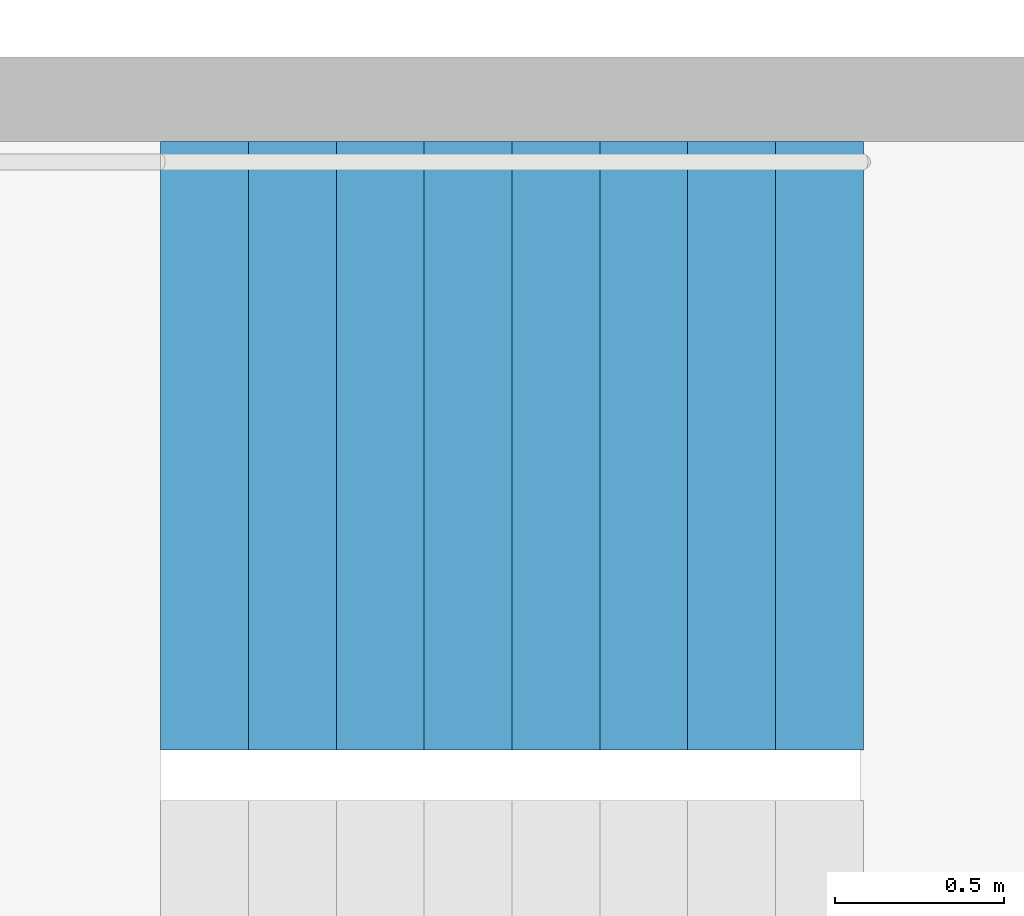
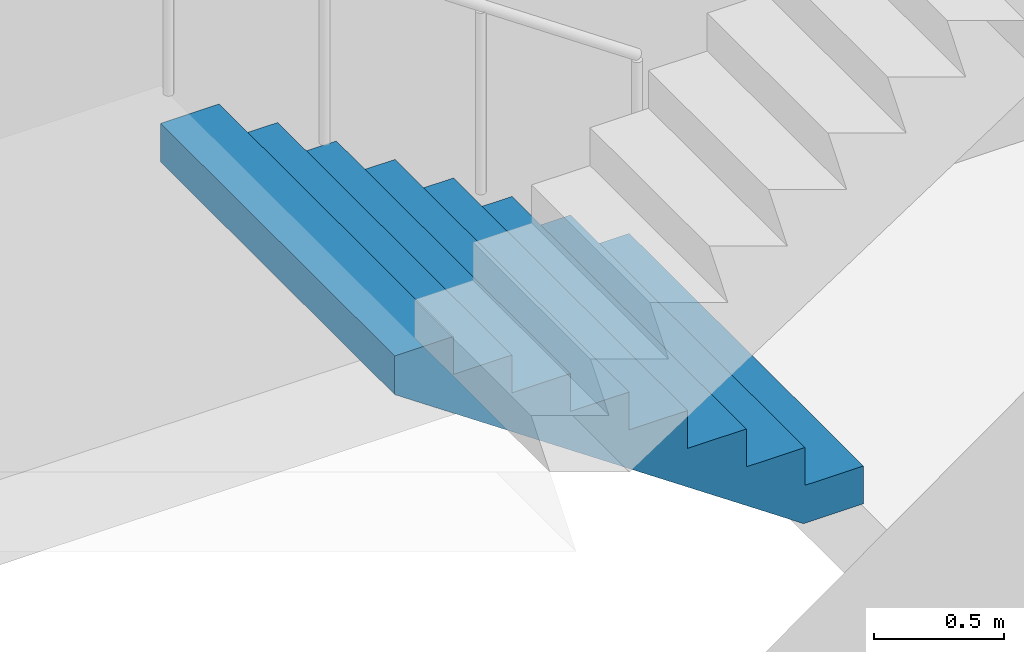
# One storey, part 22 of 29: 1 stair flight, 1 element without a shape of its own.
"""IFC4 building model written with IfcOpenShell, lengths in metres."""

from ifc_helpers import new_model, si_unit, direction, frame, origin, place, context, subcontext, project, spatial, triangles, material, type_object, element, aggregate, save


model = new_model("IFC4")

# Units and contexts
model_context = context("Model", 3, precision=1e-05, world=origin(), true_north=direction((0.0, 1.0)))
body_context = subcontext(model_context, "Body", "Model", "MODEL_VIEW")
ifc_project = project(units=[si_unit("LENGTHUNIT", "METRE"), si_unit("AREAUNIT", "SQUARE_METRE"), si_unit("VOLUMEUNIT", "CUBIC_METRE"), si_unit("PLANEANGLEUNIT", "RADIAN"), si_unit("MASSUNIT", "GRAM", prefix="KILO")], contexts=[model_context])

# Site, building, storey
site_placement = place(None, origin())
site = spatial("IfcSite", under=ifc_project, at=site_placement, CompositionType="ELEMENT")
building_placement = place(site_placement, origin())
building = spatial("IfcBuilding", under=site, at=building_placement, Name="Hakoniwa Tower and Hamabe Station Hall", CompositionType="ELEMENT")
storey_placement = place(building_placement, frame((0.0, 0.0, 88.199951171875)))
storey = spatial("IfcBuildingStorey", under=building, at=storey_placement, Name="L24", CompositionType="ELEMENT", Elevation=88.199951171875)

# Stair, stair flight
ifc_material_1 = material(Name="Concrete C40", Category="concrete")
stair_type = type_object("IfcStairType", Name="ESCAPE STAIR 1800", PredefinedType="HALF_TURN_STAIR", material=ifc_material_1)
stair_placement = place(storey_placement, origin())
stair = element("IfcStair", 1, at=stair_placement, inside=storey, type_object=stair_type, Name="Escape stair ST-2 L24", PredefinedType="HALF_TURN_STAIR")
ifc_material_2 = material(Name="Concrete C40", Category="concrete")
stair_flight_type = type_object("IfcStairFlightType", Name="STAIR FLIGHT 1800", PredefinedType="STRAIGHT", material=ifc_material_2)
stair_flight_placement = place(storey_placement, frame((-23.39990234375, -4.64990234375, 0.0), z_axis=(0.0, 0.0, 1.0), x_axis=(-1.0, 0.0, 0.0)))
stair_flight = element("IfcStairFlight", 2, at=stair_flight_placement, type_object=stair_flight_type, Name="ST-2 flight 1", NumberOfRisers=9, NumberOfTreads=8, PredefinedType="STRAIGHT", RiserHeight=0.177777778, TreadLength=0.26, context=body_context, shape_type="Tessellation", body=[
    triangles([(0.0, 0.89990234375, 0.0), (0.260009765625, 0.89990234375, 0.0), (0.265625, 0.89990234375, 0.0), (0.52001953125, 0.89990234375, 0.174072265625), (0.780029296875, 0.89990234375, 0.351806640625), (1.0400390625, 0.89990234375, 0.529541015625), (1.300048828125, 0.89990234375, 0.707275390625), (1.56005859375, 0.89990234375, 0.885009765625), (1.820068359375, 0.89990234375, 1.062744140625), (2.080078125, 0.89990234375, 1.24072265625), (2.080078125, 0.89990234375, 1.422119140625), (1.820068359375, 0.89990234375, 1.422119140625), (1.820068359375, 0.89990234375, 1.244384765625), (1.56005859375, 0.89990234375, 1.244384765625), (1.56005859375, 0.89990234375, 1.066650390625), (1.300048828125, 0.89990234375, 1.066650390625), (1.300048828125, 0.89990234375, 0.888916015625), (1.0400390625, 0.89990234375, 0.888916015625), (1.0400390625, 0.89990234375, 0.711181640625), (0.780029296875, 0.89990234375, 0.711181640625), (0.780029296875, 0.89990234375, 0.533447265625), (0.52001953125, 0.89990234375, 0.533447265625), (0.52001953125, 0.89990234375, 0.35546875), (0.265625, 0.89990234375, 0.35546875), (0.260009765625, 0.89990234375, 0.35546875), (0.260009765625, 0.89990234375, 0.177734375), (0.0, 0.89990234375, 0.177734375), (0.0, 0.06005859375, 0.0), (0.260009765625, 0.06005859375, 0.0), (0.265625, 0.06005859375, 0.0), (0.52001953125, 0.06005859375, 0.174072265625), (0.780029296875, 0.06005859375, 0.351806640625), (1.0400390625, 0.06005859375, 0.529541015625), (1.300048828125, 0.06005859375, 0.707275390625), (1.56005859375, 0.06005859375, 0.885009765625), (1.820068359375, 0.06005859375, 1.062744140625), (2.080078125, 0.06005859375, 1.24072265625), (2.080078125, 0.06005859375, 1.422119140625), (1.820068359375, 0.06005859375, 1.422119140625), (1.820068359375, 0.06005859375, 1.244384765625), (1.56005859375, 0.06005859375, 1.244384765625), (1.56005859375, 0.06005859375, 1.066650390625), (1.300048828125, 0.06005859375, 1.066650390625), (1.300048828125, 0.06005859375, 0.888916015625), (1.0400390625, 0.06005859375, 0.888916015625), (1.0400390625, 0.06005859375, 0.711181640625), (0.780029296875, 0.06005859375, 0.711181640625), (0.780029296875, 0.06005859375, 0.533447265625), (0.52001953125, 0.06005859375, 0.533447265625), (0.52001953125, 0.06005859375, 0.35546875), (0.265625, 0.06005859375, 0.35546875), (0.260009765625, 0.06005859375, 0.35546875), (0.260009765625, 0.06005859375, 0.177734375), (0.0, 0.06005859375, 0.177734375), (0.0, 0.04296875, 0.0), (0.260009765625, 0.04296875, 0.0), (0.265625, 0.04296875, 0.0), (0.52001953125, 0.04296875, 0.174072265625), (0.780029296875, 0.04296875, 0.351806640625), (1.0400390625, 0.04296875, 0.529541015625), (1.300048828125, 0.04296875, 0.707275390625), (1.56005859375, 0.04296875, 0.885009765625), (1.820068359375, 0.04296875, 1.062744140625), (2.080078125, 0.04296875, 1.24072265625), (2.080078125, 0.04296875, 1.422119140625), (1.820068359375, 0.04296875, 1.422119140625), (1.820068359375, 0.04296875, 1.244384765625), (1.56005859375, 0.04296875, 1.244384765625), (1.56005859375, 0.04296875, 1.066650390625), (1.300048828125, 0.04296875, 1.066650390625), (1.300048828125, 0.04296875, 0.888916015625), (1.0400390625, 0.04296875, 0.888916015625), (1.0400390625, 0.04296875, 0.711181640625), (0.780029296875, 0.04296875, 0.711181640625), (0.780029296875, 0.04296875, 0.533447265625), (0.52001953125, 0.04296875, 0.533447265625), (0.52001953125, 0.04296875, 0.35546875), (0.265625, 0.04296875, 0.35546875), (0.260009765625, 0.04296875, 0.35546875), (0.260009765625, 0.04296875, 0.177734375), (0.0, 0.04296875, 0.177734375), (0.0, 0.025634765625, 0.0), (0.260009765625, 0.025634765625, 0.0), (0.265625, 0.025634765625, 0.0), (0.52001953125, 0.025634765625, 0.174072265625), (0.780029296875, 0.025634765625, 0.351806640625), (1.0400390625, 0.025634765625, 0.529541015625), (1.300048828125, 0.025634765625, 0.707275390625), (1.56005859375, 0.025634765625, 0.885009765625), (1.820068359375, 0.025634765625, 1.062744140625), (2.080078125, 0.025634765625, 1.24072265625), (2.080078125, 0.025634765625, 1.422119140625), (1.820068359375, 0.025634765625, 1.422119140625), (1.820068359375, 0.025634765625, 1.244384765625), (1.56005859375, 0.025634765625, 1.244384765625), (1.56005859375, 0.025634765625, 1.066650390625), (1.300048828125, 0.025634765625, 1.066650390625), (1.300048828125, 0.025634765625, 0.888916015625), (1.0400390625, 0.025634765625, 0.888916015625), (1.0400390625, 0.025634765625, 0.711181640625), (0.780029296875, 0.025634765625, 0.711181640625), (0.780029296875, 0.025634765625, 0.533447265625), (0.52001953125, 0.025634765625, 0.533447265625), (0.52001953125, 0.025634765625, 0.35546875), (0.265625, 0.025634765625, 0.35546875), (0.260009765625, 0.025634765625, 0.35546875), (0.260009765625, 0.025634765625, 0.177734375), (0.0, 0.025634765625, 0.177734375), (0.0, 0.008544921875, 0.0), (0.260009765625, 0.008544921875, 0.0), (0.265625, 0.008544921875, 0.0), (0.52001953125, 0.008544921875, 0.174072265625), (0.780029296875, 0.008544921875, 0.351806640625), (1.0400390625, 0.008544921875, 0.529541015625), (1.300048828125, 0.008544921875, 0.707275390625), (1.56005859375, 0.008544921875, 0.885009765625), (1.820068359375, 0.008544921875, 1.062744140625), (2.080078125, 0.008544921875, 1.24072265625), (2.080078125, 0.008544921875, 1.422119140625), (1.820068359375, 0.008544921875, 1.422119140625), (1.820068359375, 0.008544921875, 1.244384765625), (1.56005859375, 0.008544921875, 1.244384765625), (1.56005859375, 0.008544921875, 1.066650390625), (1.300048828125, 0.008544921875, 1.066650390625), (1.300048828125, 0.008544921875, 0.888916015625), (1.0400390625, 0.008544921875, 0.888916015625), (1.0400390625, 0.008544921875, 0.711181640625), (0.780029296875, 0.008544921875, 0.711181640625), (0.780029296875, 0.008544921875, 0.533447265625), (0.52001953125, 0.008544921875, 0.533447265625), (0.52001953125, 0.008544921875, 0.35546875), (0.265625, 0.008544921875, 0.35546875), (0.260009765625, 0.008544921875, 0.35546875), (0.260009765625, 0.008544921875, 0.177734375), (0.0, 0.008544921875, 0.177734375), (0.0, -0.008544921875, 0.0), (0.260009765625, -0.008544921875, 0.0), (0.265625, -0.008544921875, 0.0), (0.52001953125, -0.008544921875, 0.174072265625), (0.780029296875, -0.008544921875, 0.351806640625), (1.0400390625, -0.008544921875, 0.529541015625), (1.300048828125, -0.008544921875, 0.707275390625), (1.56005859375, -0.008544921875, 0.885009765625), (1.820068359375, -0.008544921875, 1.062744140625), (2.080078125, -0.008544921875, 1.24072265625), (2.080078125, -0.008544921875, 1.422119140625), (1.820068359375, -0.008544921875, 1.422119140625), (1.820068359375, -0.008544921875, 1.244384765625), (1.56005859375, -0.008544921875, 1.244384765625), (1.56005859375, -0.008544921875, 1.066650390625), (1.300048828125, -0.008544921875, 1.066650390625), (1.300048828125, -0.008544921875, 0.888916015625), (1.0400390625, -0.008544921875, 0.888916015625), (1.0400390625, -0.008544921875, 0.711181640625), (0.780029296875, -0.008544921875, 0.711181640625), (0.780029296875, -0.008544921875, 0.533447265625), (0.52001953125, -0.008544921875, 0.533447265625), (0.52001953125, -0.008544921875, 0.35546875), (0.265625, -0.008544921875, 0.35546875), (0.260009765625, -0.008544921875, 0.35546875), (0.260009765625, -0.008544921875, 0.177734375), (0.0, -0.008544921875, 0.177734375), (0.0, -0.025634765625, 0.0), (0.260009765625, -0.025634765625, 0.0), (0.265625, -0.025634765625, 0.0), (0.52001953125, -0.025634765625, 0.174072265625), (0.780029296875, -0.025634765625, 0.351806640625), (1.0400390625, -0.025634765625, 0.529541015625), (1.300048828125, -0.025634765625, 0.707275390625), (1.56005859375, -0.025634765625, 0.885009765625), (1.820068359375, -0.025634765625, 1.062744140625), (2.080078125, -0.025634765625, 1.24072265625), (2.080078125, -0.025634765625, 1.422119140625), (1.820068359375, -0.025634765625, 1.422119140625), (1.820068359375, -0.025634765625, 1.244384765625), (1.56005859375, -0.025634765625, 1.244384765625), (1.56005859375, -0.025634765625, 1.066650390625), (1.300048828125, -0.025634765625, 1.066650390625), (1.300048828125, -0.025634765625, 0.888916015625), (1.0400390625, -0.025634765625, 0.888916015625), (1.0400390625, -0.025634765625, 0.711181640625), (0.780029296875, -0.025634765625, 0.711181640625), (0.780029296875, -0.025634765625, 0.533447265625), (0.52001953125, -0.025634765625, 0.533447265625), (0.52001953125, -0.025634765625, 0.35546875), (0.265625, -0.025634765625, 0.35546875), (0.260009765625, -0.025634765625, 0.35546875), (0.260009765625, -0.025634765625, 0.177734375), (0.0, -0.025634765625, 0.177734375), (0.0, -0.04296875, 0.0), (0.260009765625, -0.04296875, 0.0), (0.265625, -0.04296875, 0.0), (0.52001953125, -0.04296875, 0.174072265625), (0.780029296875, -0.04296875, 0.351806640625), (1.0400390625, -0.04296875, 0.529541015625), (1.300048828125, -0.04296875, 0.707275390625), (1.56005859375, -0.04296875, 0.885009765625), (1.820068359375, -0.04296875, 1.062744140625), (2.080078125, -0.04296875, 1.24072265625), (2.080078125, -0.04296875, 1.422119140625), (1.820068359375, -0.04296875, 1.422119140625), (1.820068359375, -0.04296875, 1.244384765625), (1.56005859375, -0.04296875, 1.244384765625), (1.56005859375, -0.04296875, 1.066650390625), (1.300048828125, -0.04296875, 1.066650390625), (1.300048828125, -0.04296875, 0.888916015625), (1.0400390625, -0.04296875, 0.888916015625), (1.0400390625, -0.04296875, 0.711181640625), (0.780029296875, -0.04296875, 0.711181640625), (0.780029296875, -0.04296875, 0.533447265625), (0.52001953125, -0.04296875, 0.533447265625), (0.52001953125, -0.04296875, 0.35546875), (0.265625, -0.04296875, 0.35546875), (0.260009765625, -0.04296875, 0.35546875), (0.260009765625, -0.04296875, 0.177734375), (0.0, -0.04296875, 0.177734375), (0.0, -0.06005859375, 0.0), (0.260009765625, -0.06005859375, 0.0), (0.265625, -0.06005859375, 0.0), (0.52001953125, -0.06005859375, 0.174072265625), (0.780029296875, -0.06005859375, 0.351806640625), (1.0400390625, -0.06005859375, 0.529541015625), (1.300048828125, -0.06005859375, 0.707275390625), (1.56005859375, -0.06005859375, 0.885009765625), (1.820068359375, -0.06005859375, 1.062744140625), (2.080078125, -0.06005859375, 1.24072265625), (2.080078125, -0.06005859375, 1.422119140625), (1.820068359375, -0.06005859375, 1.422119140625), (1.820068359375, -0.06005859375, 1.244384765625), (1.56005859375, -0.06005859375, 1.244384765625), (1.56005859375, -0.06005859375, 1.066650390625), (1.300048828125, -0.06005859375, 1.066650390625), (1.300048828125, -0.06005859375, 0.888916015625), (1.0400390625, -0.06005859375, 0.888916015625), (1.0400390625, -0.06005859375, 0.711181640625), (0.780029296875, -0.06005859375, 0.711181640625), (0.780029296875, -0.06005859375, 0.533447265625), (0.52001953125, -0.06005859375, 0.533447265625), (0.52001953125, -0.06005859375, 0.35546875), (0.265625, -0.06005859375, 0.35546875), (0.260009765625, -0.06005859375, 0.35546875), (0.260009765625, -0.06005859375, 0.177734375), (0.0, -0.06005859375, 0.177734375), (0.0, -0.89990234375, 0.0), (0.260009765625, -0.89990234375, 0.0), (0.265625, -0.89990234375, 0.0), (0.52001953125, -0.89990234375, 0.174072265625), (0.780029296875, -0.89990234375, 0.351806640625), (1.0400390625, -0.89990234375, 0.529541015625), (1.300048828125, -0.89990234375, 0.707275390625), (1.56005859375, -0.89990234375, 0.885009765625), (1.820068359375, -0.89990234375, 1.062744140625), (2.080078125, -0.89990234375, 1.24072265625), (2.080078125, -0.89990234375, 1.422119140625), (1.820068359375, -0.89990234375, 1.422119140625), (1.820068359375, -0.89990234375, 1.244384765625), (1.56005859375, -0.89990234375, 1.244384765625), (1.56005859375, -0.89990234375, 1.066650390625), (1.300048828125, -0.89990234375, 1.066650390625), (1.300048828125, -0.89990234375, 0.888916015625), (1.0400390625, -0.89990234375, 0.888916015625), (1.0400390625, -0.89990234375, 0.711181640625), (0.780029296875, -0.89990234375, 0.711181640625), (0.780029296875, -0.89990234375, 0.533447265625), (0.52001953125, -0.89990234375, 0.533447265625), (0.52001953125, -0.89990234375, 0.35546875), (0.265625, -0.89990234375, 0.35546875), (0.260009765625, -0.89990234375, 0.35546875), (0.260009765625, -0.89990234375, 0.177734375), (0.0, -0.89990234375, 0.177734375)], [[2, 27, 26], [245, 269, 270], [2, 1, 27], [245, 270, 244], [3, 25, 24], [246, 267, 268], [3, 26, 25], [246, 268, 269], [3, 2, 26], [246, 269, 245], [4, 24, 23], [247, 266, 267], [4, 3, 24], [247, 267, 246], [5, 22, 21], [248, 264, 265], [5, 23, 22], [248, 265, 266], [5, 4, 23], [248, 266, 247], [6, 20, 19], [249, 262, 263], [6, 21, 20], [249, 263, 264], [6, 5, 21], [249, 264, 248], [7, 18, 17], [250, 260, 261], [7, 19, 18], [250, 261, 262], [7, 6, 19], [250, 262, 249], [8, 16, 15], [251, 258, 259], [8, 17, 16], [251, 259, 260], [8, 7, 17], [251, 260, 250], [9, 14, 13], [252, 256, 257], [9, 15, 14], [252, 257, 258], [9, 8, 15], [252, 258, 251], [10, 12, 11], [253, 254, 255], [10, 13, 12], [253, 255, 256], [10, 9, 13], [253, 256, 252], [1, 2, 29], [1, 29, 28], [28, 29, 56], [28, 56, 55], [55, 56, 83], [55, 83, 82], [82, 83, 110], [82, 110, 109], [109, 110, 137], [109, 137, 136], [136, 137, 164], [136, 164, 163], [163, 164, 191], [163, 191, 190], [190, 191, 218], [190, 218, 217], [217, 218, 245], [217, 245, 244], [2, 3, 30], [2, 30, 29], [29, 30, 57], [29, 57, 56], [56, 57, 84], [56, 84, 83], [83, 84, 111], [83, 111, 110], [110, 111, 138], [110, 138, 137], [137, 138, 165], [137, 165, 164], [164, 165, 192], [164, 192, 191], [191, 192, 219], [191, 219, 218], [218, 219, 246], [218, 246, 245], [3, 4, 31], [3, 31, 30], [30, 31, 58], [30, 58, 57], [57, 58, 85], [57, 85, 84], [84, 85, 112], [84, 112, 111], [111, 112, 139], [111, 139, 138], [138, 139, 166], [138, 166, 165], [165, 166, 193], [165, 193, 192], [192, 193, 220], [192, 220, 219], [219, 220, 247], [219, 247, 246], [4, 5, 32], [4, 32, 31], [31, 32, 59], [31, 59, 58], [58, 59, 86], [58, 86, 85], [85, 86, 113], [85, 113, 112], [112, 113, 140], [112, 140, 139], [139, 140, 167], [139, 167, 166], [166, 167, 194], [166, 194, 193], [193, 194, 221], [193, 221, 220], [220, 221, 248], [220, 248, 247], [5, 6, 33], [5, 33, 32], [32, 33, 60], [32, 60, 59], [59, 60, 87], [59, 87, 86], [86, 87, 114], [86, 114, 113], [113, 114, 141], [113, 141, 140], [140, 141, 168], [140, 168, 167], [167, 168, 195], [167, 195, 194], [194, 195, 222], [194, 222, 221], [221, 222, 249], [221, 249, 248], [6, 7, 34], [6, 34, 33], [33, 34, 61], [33, 61, 60], [60, 61, 88], [60, 88, 87], [87, 88, 115], [87, 115, 114], [114, 115, 142], [114, 142, 141], [141, 142, 169], [141, 169, 168], [168, 169, 196], [168, 196, 195], [195, 196, 223], [195, 223, 222], [222, 223, 250], [222, 250, 249], [7, 8, 35], [7, 35, 34], [34, 35, 62], [34, 62, 61], [61, 62, 89], [61, 89, 88], [88, 89, 116], [88, 116, 115], [115, 116, 143], [115, 143, 142], [142, 143, 170], [142, 170, 169], [169, 170, 197], [169, 197, 196], [196, 197, 224], [196, 224, 223], [223, 224, 251], [223, 251, 250], [8, 9, 36], [8, 36, 35], [35, 36, 63], [35, 63, 62], [62, 63, 90], [62, 90, 89], [89, 90, 117], [89, 117, 116], [116, 117, 144], [116, 144, 143], [143, 144, 171], [143, 171, 170], [170, 171, 198], [170, 198, 197], [197, 198, 225], [197, 225, 224], [224, 225, 252], [224, 252, 251], [9, 10, 37], [9, 37, 36], [36, 37, 64], [36, 64, 63], [63, 64, 91], [63, 91, 90], [90, 91, 118], [90, 118, 117], [117, 118, 145], [117, 145, 144], [144, 145, 172], [144, 172, 171], [171, 172, 199], [171, 199, 198], [198, 199, 226], [198, 226, 225], [225, 226, 253], [225, 253, 252], [10, 11, 38], [10, 38, 37], [37, 38, 65], [37, 65, 64], [64, 65, 92], [64, 92, 91], [91, 92, 119], [91, 119, 118], [118, 119, 146], [118, 146, 145], [145, 146, 173], [145, 173, 172], [172, 173, 200], [172, 200, 199], [199, 200, 227], [199, 227, 226], [226, 227, 254], [226, 254, 253], [11, 12, 39], [11, 39, 38], [38, 39, 66], [38, 66, 65], [65, 66, 93], [65, 93, 92], [92, 93, 120], [92, 120, 119], [119, 120, 147], [119, 147, 146], [146, 147, 174], [146, 174, 173], [173, 174, 201], [173, 201, 200], [200, 201, 228], [200, 228, 227], [227, 228, 255], [227, 255, 254], [12, 13, 40], [12, 40, 39], [39, 40, 67], [39, 67, 66], [66, 67, 94], [66, 94, 93], [93, 94, 121], [93, 121, 120], [120, 121, 148], [120, 148, 147], [147, 148, 175], [147, 175, 174], [174, 175, 202], [174, 202, 201], [201, 202, 229], [201, 229, 228], [228, 229, 256], [228, 256, 255], [13, 14, 41], [13, 41, 40], [40, 41, 68], [40, 68, 67], [67, 68, 95], [67, 95, 94], [94, 95, 122], [94, 122, 121], [121, 122, 149], [121, 149, 148], [148, 149, 176], [148, 176, 175], [175, 176, 203], [175, 203, 202], [202, 203, 230], [202, 230, 229], [229, 230, 257], [229, 257, 256], [14, 15, 42], [14, 42, 41], [41, 42, 69], [41, 69, 68], [68, 69, 96], [68, 96, 95], [95, 96, 123], [95, 123, 122], [122, 123, 150], [122, 150, 149], [149, 150, 177], [149, 177, 176], [176, 177, 204], [176, 204, 203], [203, 204, 231], [203, 231, 230], [230, 231, 258], [230, 258, 257], [15, 16, 43], [15, 43, 42], [42, 43, 70], [42, 70, 69], [69, 70, 97], [69, 97, 96], [96, 97, 124], [96, 124, 123], [123, 124, 151], [123, 151, 150], [150, 151, 178], [150, 178, 177], [177, 178, 205], [177, 205, 204], [204, 205, 232], [204, 232, 231], [231, 232, 259], [231, 259, 258], [16, 17, 44], [16, 44, 43], [43, 44, 71], [43, 71, 70], [70, 71, 98], [70, 98, 97], [97, 98, 125], [97, 125, 124], [124, 125, 152], [124, 152, 151], [151, 152, 179], [151, 179, 178], [178, 179, 206], [178, 206, 205], [205, 206, 233], [205, 233, 232], [232, 233, 260], [232, 260, 259], [17, 18, 45], [17, 45, 44], [44, 45, 72], [44, 72, 71], [71, 72, 99], [71, 99, 98], [98, 99, 126], [98, 126, 125], [125, 126, 153], [125, 153, 152], [152, 153, 180], [152, 180, 179], [179, 180, 207], [179, 207, 206], [206, 207, 234], [206, 234, 233], [233, 234, 261], [233, 261, 260], [18, 19, 46], [18, 46, 45], [45, 46, 73], [45, 73, 72], [72, 73, 100], [72, 100, 99], [99, 100, 127], [99, 127, 126], [126, 127, 154], [126, 154, 153], [153, 154, 181], [153, 181, 180], [180, 181, 208], [180, 208, 207], [207, 208, 235], [207, 235, 234], [234, 235, 262], [234, 262, 261], [19, 20, 47], [19, 47, 46], [46, 47, 74], [46, 74, 73], [73, 74, 101], [73, 101, 100], [100, 101, 128], [100, 128, 127], [127, 128, 155], [127, 155, 154], [154, 155, 182], [154, 182, 181], [181, 182, 209], [181, 209, 208], [208, 209, 236], [208, 236, 235], [235, 236, 263], [235, 263, 262], [20, 21, 48], [20, 48, 47], [47, 48, 75], [47, 75, 74], [74, 75, 102], [74, 102, 101], [101, 102, 129], [101, 129, 128], [128, 129, 156], [128, 156, 155], [155, 156, 183], [155, 183, 182], [182, 183, 210], [182, 210, 209], [209, 210, 237], [209, 237, 236], [236, 237, 264], [236, 264, 263], [21, 22, 49], [21, 49, 48], [48, 49, 76], [48, 76, 75], [75, 76, 103], [75, 103, 102], [102, 103, 130], [102, 130, 129], [129, 130, 157], [129, 157, 156], [156, 157, 184], [156, 184, 183], [183, 184, 211], [183, 211, 210], [210, 211, 238], [210, 238, 237], [237, 238, 265], [237, 265, 264], [22, 23, 50], [22, 50, 49], [49, 50, 77], [49, 77, 76], [76, 77, 104], [76, 104, 103], [103, 104, 131], [103, 131, 130], [130, 131, 158], [130, 158, 157], [157, 158, 185], [157, 185, 184], [184, 185, 212], [184, 212, 211], [211, 212, 239], [211, 239, 238], [238, 239, 266], [238, 266, 265], [23, 24, 51], [23, 51, 50], [50, 51, 78], [50, 78, 77], [77, 78, 105], [77, 105, 104], [104, 105, 132], [104, 132, 131], [131, 132, 159], [131, 159, 158], [158, 159, 186], [158, 186, 185], [185, 186, 213], [185, 213, 212], [212, 213, 240], [212, 240, 239], [239, 240, 267], [239, 267, 266], [24, 25, 52], [24, 52, 51], [51, 52, 79], [51, 79, 78], [78, 79, 106], [78, 106, 105], [105, 106, 133], [105, 133, 132], [132, 133, 160], [132, 160, 159], [159, 160, 187], [159, 187, 186], [186, 187, 214], [186, 214, 213], [213, 214, 241], [213, 241, 240], [240, 241, 268], [240, 268, 267], [25, 26, 53], [25, 53, 52], [52, 53, 80], [52, 80, 79], [79, 80, 107], [79, 107, 106], [106, 107, 134], [106, 134, 133], [133, 134, 161], [133, 161, 160], [160, 161, 188], [160, 188, 187], [187, 188, 215], [187, 215, 214], [214, 215, 242], [214, 242, 241], [241, 242, 269], [241, 269, 268], [26, 27, 54], [26, 54, 53], [53, 54, 81], [53, 81, 80], [80, 81, 108], [80, 108, 107], [107, 108, 135], [107, 135, 134], [134, 135, 162], [134, 162, 161], [161, 162, 189], [161, 189, 188], [188, 189, 216], [188, 216, 215], [215, 216, 243], [215, 243, 242], [242, 243, 270], [242, 270, 269], [27, 1, 28], [27, 28, 54], [54, 28, 55], [54, 55, 81], [81, 55, 82], [81, 82, 108], [108, 82, 109], [108, 109, 135], [135, 109, 136], [135, 136, 162], [162, 136, 163], [162, 163, 189], [189, 163, 190], [189, 190, 216], [216, 190, 217], [216, 217, 243], [243, 217, 244], [243, 244, 270]], closed=True),
])
aggregate(stair, [stair_flight])

save(model, "model.ifc")
